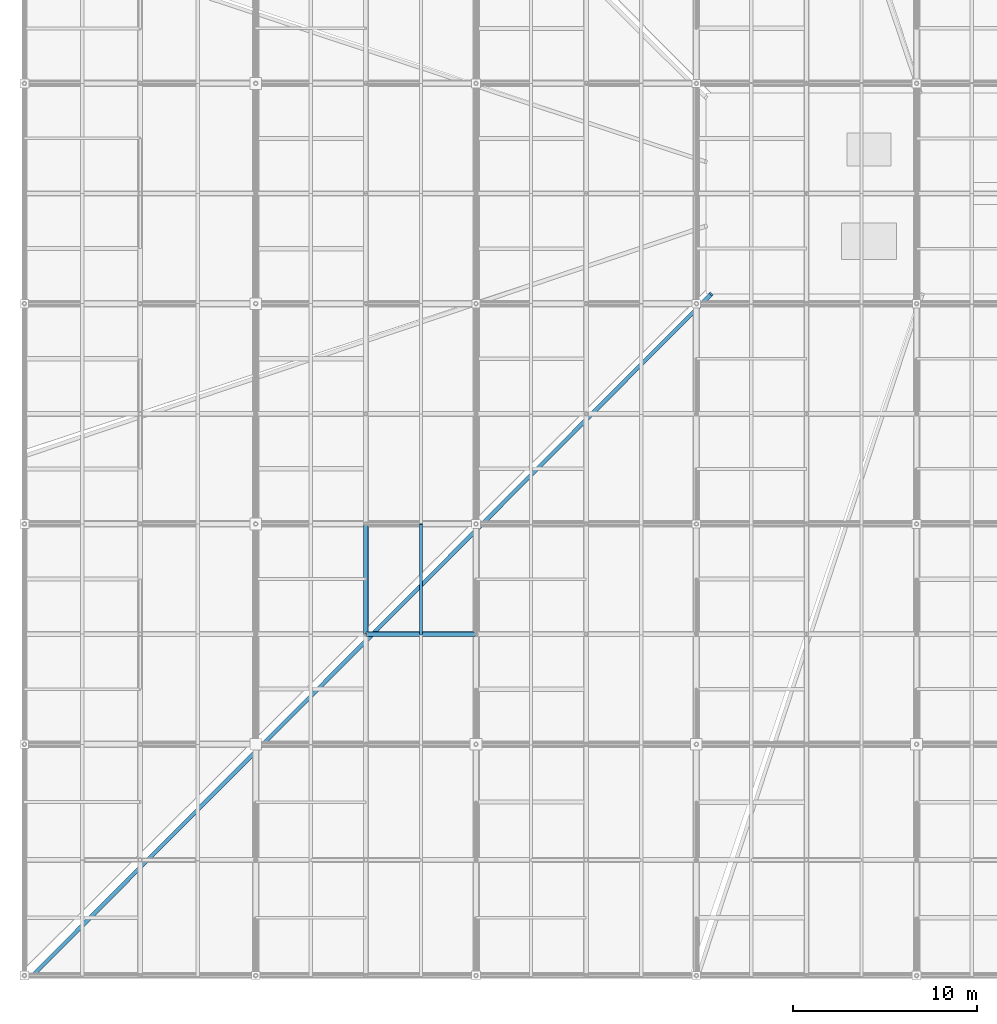
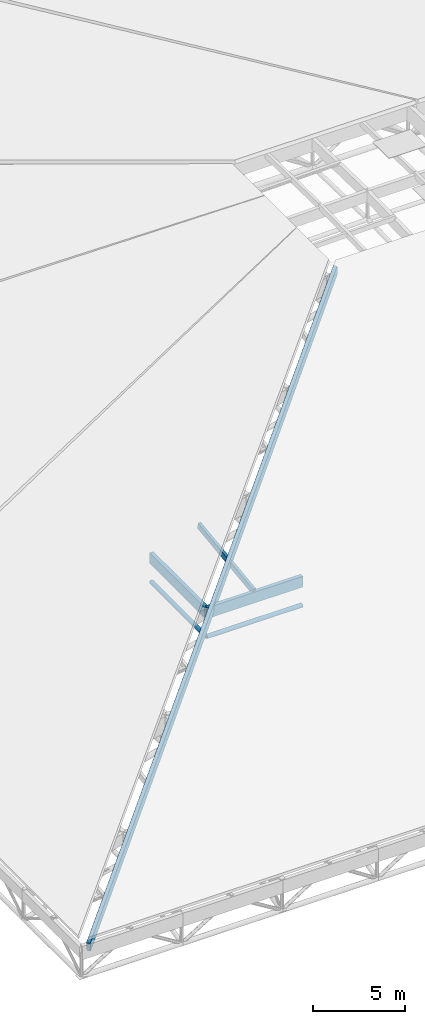
# One storey, part 6 of 80: 6 members.
"""IFC4 building model written with IfcOpenShell, lengths in metres."""

from ifc_helpers import new_model, si_unit, direction, frame, origin, origin_2d, place, context, subcontext, project, spatial, rectangle, hollow_circle, extrude, material, material_profile, profile_set, type_object, element, save


model = new_model("IFC4")

# Units and contexts
model_context = context("Model", 3, precision=1e-05, world=origin(), true_north=direction((0.0, 1.0)))
body_context = subcontext(model_context, "Body", "Model", "MODEL_VIEW")
ifc_project = project(units=[si_unit("LENGTHUNIT", "METRE"), si_unit("AREAUNIT", "SQUARE_METRE"), si_unit("VOLUMEUNIT", "CUBIC_METRE"), si_unit("PLANEANGLEUNIT", "RADIAN"), si_unit("MASSUNIT", "GRAM", prefix="KILO"), si_unit("THERMODYNAMICTEMPERATUREUNIT", "KELVIN"), si_unit("POWERUNIT", "WATT")], contexts=[model_context])

# Site, building, storey
site_placement = place(None, origin())
site = spatial("IfcSite", under=ifc_project, at=site_placement, CompositionType="ELEMENT")
building_placement = place(site_placement, origin())
building = spatial("IfcBuilding", under=site, at=building_placement, Name="Solmara Park Aquatics Centre", CompositionType="ELEMENT")
storey_placement = place(building_placement, frame((0.0, 0.0, 22.800048828125)))
storey = spatial("IfcBuildingStorey", under=building, at=storey_placement, Name="RF", CompositionType="ELEMENT", Elevation=22.800048828125)

# Members
ifc_material_1 = material(Name="Structural Steel S355", Category="steel")
ifc_material_profile_1 = material_profile(ifc_material_1, hollow_circle(Radius=0.136474609375, WallThickness=0.012451171875, at=origin_2d()), Name="CHS 273x12.5")
ifc_profile_set_1 = profile_set([ifc_material_profile_1], Name="Structural Steel S355")
member_type_1 = type_object("IfcMemberType", Name="STR-CHD-CHS273", PredefinedType="CHORD", material=ifc_profile_set_1)
for number, where, z_axis, x_axis, name in (
    (1, (18.60009765625, 18.60009765625, -9.58984375), (1.0, 0.0, 0.0), (0.0, 1.0, 0.0), "Steel Roof Truss Bottom Chord X 0116"),
    (2, (18.60009765625, 18.60009765625, -9.58984375), (0.0, 1.0, 0.0), (-1.0, 0.0, 0.0), "Steel Roof Truss Bottom Chord Y 0632"),
):
    element("IfcMember", number, at=place(storey_placement, frame(where, z_axis=z_axis, x_axis=x_axis)), inside=storey, type_object=member_type_1, Name=name, PredefinedType="CHORD", context=body_context, shape_type="SweptSolid", body=[
        extrude(hollow_circle(Radius=0.136474609375, WallThickness=0.012451171875, at=origin_2d()), origin(), (0.0, 0.0, 1.0), 6.0),
    ])
ifc_material_2 = material(Name="Glulam Timber GL28h", Category="wood")
ifc_material_profile_2 = material_profile(ifc_material_2, rectangle(XDim=0.239990234375, YDim=0.719970703125, at=origin_2d()), Name="GL28h 240x720")
ifc_profile_set_2 = profile_set([ifc_material_profile_2], Name="Glulam Timber GL28h")
member_type_2 = type_object("IfcMemberType", Name="STR-CHD-GL240x720", PredefinedType="CHORD", material=ifc_profile_set_2)
for number, where, z_axis, x_axis, name in (
    (3, (18.60009765625, 18.60009765625, -7.9697265625), (1.0, 0.0, 0.0), (0.0, 1.0, 0.0), "Glulam Roof Truss Top Chord X 0115"),
    (4, (18.60009765625, 18.60009765625, -7.9697265625), (0.0, 1.0, 0.0), (-1.0, 0.0, 0.0), "Glulam Roof Truss Top Chord Y 0631"),
):
    element("IfcMember", number, at=place(storey_placement, frame(where, z_axis=z_axis, x_axis=x_axis)), inside=storey, type_object=member_type_2, Name=name, PredefinedType="CHORD", context=body_context, shape_type="SweptSolid", body=[
        extrude(rectangle(XDim=0.239990234375, YDim=0.719970703125, at=origin_2d()), origin(), (0.0, 0.0, 1.0), 6.0),
    ])
ifc_material_profile_3 = material_profile(ifc_material_2, rectangle(XDim=0.179931640625, YDim=0.39990234375, at=origin_2d()), Name="GL28h 180x400")
ifc_profile_set_3 = profile_set([ifc_material_profile_3], Name="Glulam Timber GL28h")
member_type_3 = type_object("IfcMemberType", Name="STR-PRL-GL180x400", PredefinedType="PURLIN", material=ifc_profile_set_3)
member_1_placement = place(storey_placement, frame((21.60009765625, 18.60009765625, -7.649658203125), z_axis=(0.0, 0.991747604197, 0.128205653423), x_axis=(-1.0, 0.0, 0.0)))
element("IfcMember", 5, at=member_1_placement, inside=storey, type_object=member_type_3, Name="Glulam Roof Purlin 1424", PredefinedType="PURLIN", context=body_context, shape_type="SweptSolid", body=[
    extrude(rectangle(XDim=0.179931640625, YDim=0.39990234375, at=origin_2d()), origin(), (0.0, 0.0, 1.0), 6.0498046875),
])
ifc_material_profile_4 = material_profile(ifc_material_2, rectangle(XDim=0.219970703125, YDim=0.60009765625, at=origin_2d()), Name="GL28h 220x600")
ifc_profile_set_4 = profile_set([ifc_material_profile_4], Name="Glulam Timber GL28h")
member_type_4 = type_object("IfcMemberType", Name="STR-RFT-GL220x600", PredefinedType="RAFTER", material=ifc_profile_set_4)
member_2_placement = place(storey_placement, frame((0.4375, 0.0, -12.60009765625), z_axis=(0.694129206546, 0.696920666161, 0.18023936778), x_axis=(-0.708524326016, 0.705686388875, 0.0)))
element("IfcMember", 6, at=member_2_placement, inside=storey, type_object=member_type_4, Name="Glulam Hip Jack Rafter SOUTH-1", PredefinedType="RAFTER", context=body_context, shape_type="SweptSolid", body=[
    extrude(rectangle(XDim=0.219970703125, YDim=0.60009765625, at=origin_2d()), origin(), (0.0, 0.0, 1.0), 53.262939453125),
])

save(model, "model.ifc")
